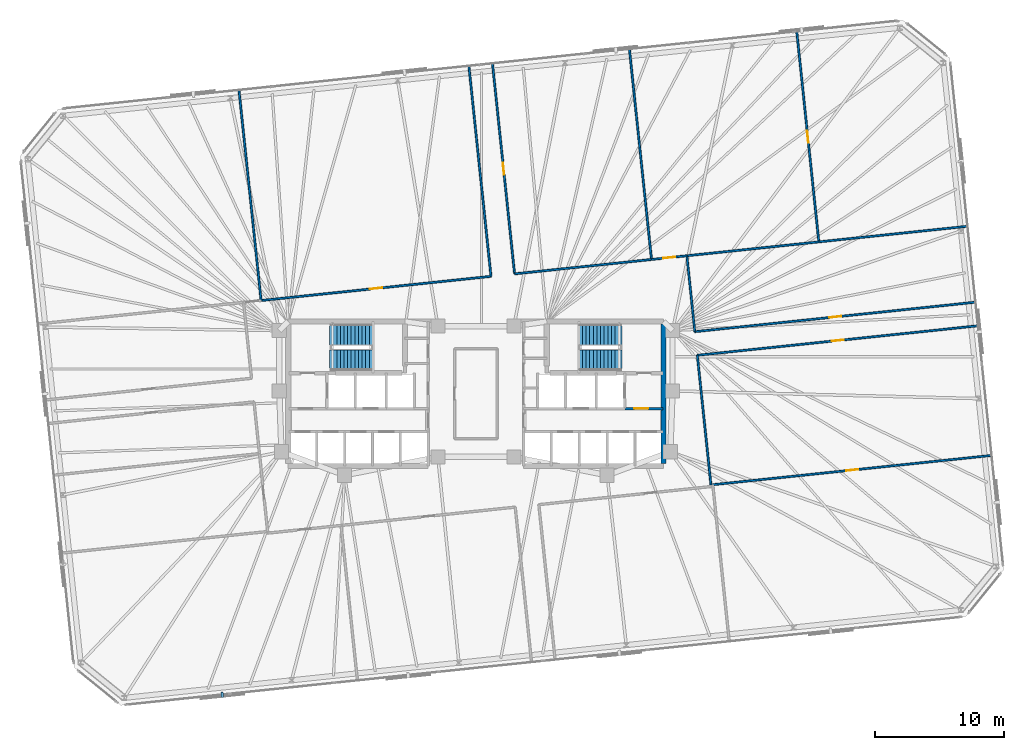
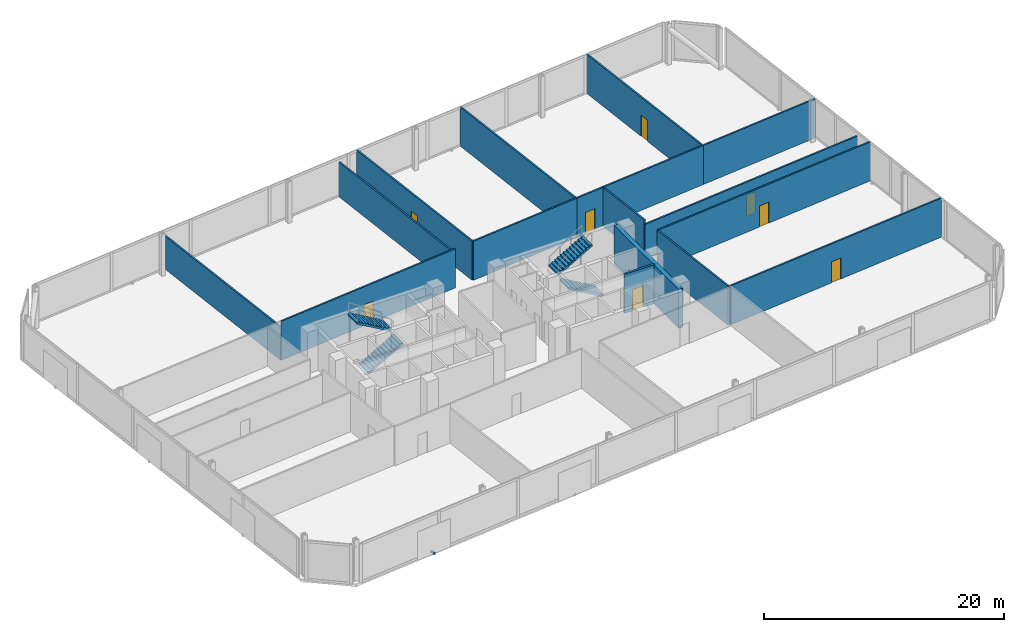
# One storey, part 14 of 16: 17 walls, 8 doors, 4 stair flights, 1 discrete accessory, 8 openings, 2 elements without a shape of their own.
"""IFC4 building model written with IfcOpenShell, lengths in metres."""

from ifc_helpers import new_model, si_unit, direction, frame, frame_2d, origin, origin_2d, place, context, subcontext, project, spatial, polyline, rectangle, outline, extrude, material, layer, layer_set, type_object, element, fill, aggregate, save


model = new_model("IFC4")

# Units and contexts
model_context = context("Model", 3, precision=1e-05, world=origin(), true_north=direction((0.0, 1.0)))
body_context = subcontext(model_context, "Body", "Model", "MODEL_VIEW")
ifc_project = project(units=[si_unit("LENGTHUNIT", "METRE"), si_unit("AREAUNIT", "SQUARE_METRE"), si_unit("VOLUMEUNIT", "CUBIC_METRE"), si_unit("PLANEANGLEUNIT", "RADIAN"), si_unit("MASSUNIT", "GRAM", prefix="KILO")], contexts=[model_context])

# Site, building, storey
site_placement = place(None, origin())
site = spatial("IfcSite", under=ifc_project, at=site_placement, CompositionType="ELEMENT")
building_placement = place(site_placement, origin())
building = spatial("IfcBuilding", under=site, at=building_placement, Name="Menara Jurai Vektor", CompositionType="ELEMENT")
storey_placement = place(building_placement, frame((0.0, 0.0, 83.199951171875)))
storey = spatial("IfcBuildingStorey", under=building, at=storey_placement, Name="L20", CompositionType="ELEMENT", Elevation=83.199951171875)

# Wall, opening, door
ifc_material_1 = material(Name="Concrete C40/50", Category="concrete")
ifc_layer_1 = layer(ifc_material_1, 0.25)
ifc_layer_set_1 = layer_set([ifc_layer_1], Name="Concrete C40/50")
wall_type_1 = type_object("IfcWallType", Name="INT-WALL-CORE-250", PredefinedType="STANDARD", material=ifc_layer_set_1)
wall_1_placement = place(storey_placement, frame((11.550048828125, -1.14990234375, 0.0), z_axis=(0.0, 0.0, 1.0), x_axis=(1.0, 0.0, 0.0)))
wall_1 = element("IfcWall", 1, at=wall_1_placement, inside=storey, type_object=wall_type_1, Name="Interior Wall IW-250 L20", PredefinedType="STANDARD", context=body_context, shape_type="SweptSolid", body=[
    extrude(rectangle(XDim=2.949951171875, YDim=0.199951171875, at=frame_2d((1.47509765625, 0.0))), origin(), (0.0, 0.0, 1.0), 3.97509765625),
])
opening_1_placement = place(wall_1_placement, frame((0.75, 0.0, 0.0)))
opening_1 = element("IfcOpeningElement", 2, at=opening_1_placement, cuts=wall_1, Name="Opening D-L20-FFE", PredefinedType="OPENING", context=body_context, shape_type="SweptSolid", body=[
    extrude(rectangle(XDim=1.050048828125, YDim=2.179931640625, at=frame_2d((0.52490234375, 1.08984375))), frame((0.0, 0.10986328125, 0.0), z_axis=(0.0, -1.0, 0.0), x_axis=(1.0, 0.0, 0.0)), (0.0, 0.0, 1.0), 0.219970703125),
])
ifc_material_2 = material(Name="Fire-Rated Timber Door", Category="wood")
door_type_1 = type_object("IfcDoorType", Name="DR-LOBBY-1050", OperationType="NOTDEFINED", PredefinedType="DOOR", material=ifc_material_2)
door_1_placement = place(opening_1_placement, origin())
door_1 = element("IfcDoor", 3, at=door_1_placement, inside=storey, type_object=door_type_1, Name="Fire Lift Lobby Door E L20", OperationType="SINGLE_SWING_LEFT", OverallHeight=2.179931640625, OverallWidth=1.050048828125, PredefinedType="DOOR", context=body_context, shape_type="SweptSolid", body=[
    extrude(rectangle(XDim=1.050048828125, YDim=2.179931640625, at=frame_2d((0.52490234375, 1.08984375))), frame((0.0, 0.02490234375, 0.0), z_axis=(0.0, -1.0, 0.0), x_axis=(1.0, 0.0, 0.0)), (0.0, 0.0, 1.0), 0.050048828125),
])
fill(opening_1, door_1)

ifc_material_3 = material(Name="Gypsum Fireboard Partition", Category="gypsum")
ifc_layer_2 = layer(ifc_material_3, 0.14990234375)
ifc_layer_set_2 = layer_set([ifc_layer_2], Name="Gypsum Fireboard Partition")
wall_type_2 = type_object("IfcWallType", Name="INT-WALL-CORR-150", PredefinedType="PARTITIONING", material=ifc_layer_set_2)
wall_2_placement = place(storey_placement, frame((-16.661865234375, 7.233154296875, 0.0), z_axis=(0.0, 0.0, 1.0), x_axis=(0.994521482375, 0.10453239256, 0.0)))
wall_2 = element("IfcWall", 4, at=wall_2_placement, inside=storey, type_object=wall_type_2, Name="Interior Wall IW-150 L20", PredefinedType="PARTITIONING", context=body_context, shape_type="SweptSolid", body=[
    extrude(rectangle(XDim=17.929931640625, YDim=0.14990234375, at=frame_2d((8.96484375, 0.0))), origin(), (0.0, 0.0, 1.0), 3.97509765625),
])
opening_2_placement = place(wall_2_placement, frame((8.489990234375, 0.0, 0.0)))
opening_2 = element("IfcOpeningElement", 5, at=opening_2_placement, cuts=wall_2, Name="Opening D20-08", PredefinedType="OPENING", context=body_context, shape_type="SweptSolid", body=[
    extrude(rectangle(XDim=0.949951171875, YDim=2.14990234375, at=frame_2d((0.47509765625, 1.074951171875))), frame((0.0, 0.0849609375, 0.0), z_axis=(0.0, -1.0, 0.0), x_axis=(1.0, 0.0, 0.0)), (0.0, 0.0, 1.0), 0.169921875),
])
ifc_material_4 = material(Name="Solid Core Timber Fire Door", Category="wood")
door_type_2 = type_object("IfcDoorType", Name="DR-ENTRY-950", OperationType="NOTDEFINED", PredefinedType="DOOR", material=ifc_material_4)
door_2_placement = place(opening_2_placement, origin())
door_2 = element("IfcDoor", 6, at=door_2_placement, inside=storey, type_object=door_type_2, Name="Interior Door D20-08", OperationType="SINGLE_SWING_LEFT", OverallHeight=2.14990234375, OverallWidth=0.949951171875, PredefinedType="DOOR", context=body_context, shape_type="SweptSolid", body=[
    extrude(rectangle(XDim=0.949951171875, YDim=2.14990234375, at=frame_2d((0.47509765625, 1.074951171875))), frame((0.0, 0.02490234375, 0.0), z_axis=(0.0, -1.0, 0.0), x_axis=(1.0, 0.0, 0.0)), (0.0, 0.0, 1.0), 0.050048828125),
])
fill(opening_2, door_2)

wall_3_placement = place(storey_placement, frame((3.0, 9.2998046875, 0.0), z_axis=(0.0, 0.0, 1.0), x_axis=(-0.104536080245, 0.994521094762, 0.0)))
wall_3 = element("IfcWall", 7, at=wall_3_placement, inside=storey, type_object=wall_type_2, Name="Interior Wall IW-150 L20", PredefinedType="PARTITIONING", context=body_context, shape_type="SweptSolid", body=[
    extrude(rectangle(XDim=16.408935546875, YDim=0.14990234375, at=frame_2d((8.20458984375, 0.0))), origin(), (0.0, 0.0, 1.0), 3.97509765625),
])
opening_3_placement = place(wall_3_placement, frame((7.7294921875, 0.0, 0.0)))
opening_3 = element("IfcOpeningElement", 8, at=opening_3_placement, cuts=wall_3, Name="Opening D20-09", PredefinedType="OPENING", context=body_context, shape_type="SweptSolid", body=[
    extrude(rectangle(XDim=0.949951171875, YDim=2.14990234375, at=frame_2d((0.47509765625, 1.074951171875))), frame((0.0, 0.0849609375, 0.0), z_axis=(0.0, -1.0, 0.0), x_axis=(1.0, 0.0, 0.0)), (0.0, 0.0, 1.0), 0.169921875),
])
door_3_placement = place(opening_3_placement, origin())
door_3 = element("IfcDoor", 9, at=door_3_placement, inside=storey, type_object=door_type_2, Name="Interior Door D20-09", OperationType="SINGLE_SWING_RIGHT", OverallHeight=2.14990234375, OverallWidth=0.949951171875, PredefinedType="DOOR", context=body_context, shape_type="SweptSolid", body=[
    extrude(rectangle(XDim=0.949951171875, YDim=2.14990234375, at=frame_2d((0.47509765625, 1.074951171875))), frame((0.0, 0.02490234375, 0.0), z_axis=(0.0, -1.0, 0.0), x_axis=(1.0, 0.0, 0.0)), (0.0, 0.0, 1.0), 0.050048828125),
])
fill(opening_3, door_3)

# Wall
wall_4_placement = place(storey_placement, frame((3.0, 9.2998046875, 0.0), z_axis=(0.0, 0.0, 1.0), x_axis=(0.994523225506, 0.10451580708, 0.0)))
element("IfcWall", 10, at=wall_4_placement, inside=storey, type_object=wall_type_2, Name="Interior Wall IW-150 L20", PredefinedType="PARTITIONING", context=body_context, shape_type="SweptSolid", body=[
    extrude(rectangle(XDim=10.679931640625, YDim=0.14990234375, at=frame_2d((5.33984375, 0.0))), origin(), (0.0, 0.0, 1.0), 3.97509765625),
])

# Wall, opening, door
wall_5_placement = place(storey_placement, frame((13.621337890625, 10.416015625, 0.0), z_axis=(0.0, 0.0, 1.0), x_axis=(0.994525813133, 0.104491181506, 0.0)))
wall_5 = element("IfcWall", 11, at=wall_5_placement, inside=storey, type_object=wall_type_2, Name="Interior Wall IW-150 L20", PredefinedType="PARTITIONING", context=body_context, shape_type="SweptSolid", body=[
    extrude(rectangle(XDim=2.757080078125, YDim=0.14990234375, at=frame_2d((1.37841796875, 0.0))), origin(), (0.0, 0.0, 1.0), 3.97509765625),
])
opening_4_placement = place(wall_5_placement, frame((0.903564453125, 0.0, 0.0)))
opening_4 = element("IfcOpeningElement", 12, at=opening_4_placement, cuts=wall_5, Name="Opening D20-10", PredefinedType="OPENING", context=body_context, shape_type="SweptSolid", body=[
    extrude(rectangle(XDim=0.949951171875, YDim=2.14990234375, at=frame_2d((0.47509765625, 1.074951171875))), frame((0.0, 0.0849609375, 0.0), z_axis=(0.0, -1.0, 0.0), x_axis=(1.0, 0.0, 0.0)), (0.0, 0.0, 1.0), 0.169921875),
])
door_4_placement = place(opening_4_placement, origin())
door_4 = element("IfcDoor", 13, at=door_4_placement, inside=storey, type_object=door_type_2, Name="Interior Door D20-10", OperationType="SINGLE_SWING_LEFT", OverallHeight=2.14990234375, OverallWidth=0.949951171875, PredefinedType="DOOR", context=body_context, shape_type="SweptSolid", body=[
    extrude(rectangle(XDim=0.949951171875, YDim=2.14990234375, at=frame_2d((0.47509765625, 1.074951171875))), frame((0.0, 0.02490234375, 0.0), z_axis=(0.0, -1.0, 0.0), x_axis=(1.0, 0.0, 0.0)), (0.0, 0.0, 1.0), 0.050048828125),
])
fill(opening_4, door_4)

# Wall
wall_6_placement = place(storey_placement, frame((18.231201171875, -7.06787109375, 0.0), z_axis=(0.0, 0.0, 1.0), x_axis=(-0.104523867261, 0.994522378417, 0.0)))
element("IfcWall", 14, at=wall_6_placement, inside=storey, type_object=wall_type_2, Name="Interior Wall IW-150 L20", PredefinedType="PARTITIONING", context=body_context, shape_type="SweptSolid", body=[
    extrude(rectangle(XDim=10.109130859375, YDim=0.14990234375, at=frame_2d((5.0546875, 0.0))), origin(), (0.0, 0.0, 1.0), 3.97509765625),
])

# Wall, opening, door
wall_7_placement = place(storey_placement, frame((17.174560546875, 2.98583984375, 0.0), z_axis=(0.0, 0.0, 1.0), x_axis=(0.994522365919, 0.104523986183, 0.0)))
wall_7 = element("IfcWall", 15, at=wall_7_placement, inside=storey, type_object=wall_type_2, Name="Interior Wall IW-150 L20", PredefinedType="PARTITIONING", context=body_context, shape_type="SweptSolid", body=[
    extrude(rectangle(XDim=21.892822265625, YDim=0.14990234375, at=frame_2d((10.9462890625, 0.0))), origin(), (0.0, 0.0, 1.0), 3.97509765625),
])
opening_5_placement = place(wall_7_placement, frame((10.471435546875, 0.0, 0.0)))
opening_5 = element("IfcOpeningElement", 16, at=opening_5_placement, cuts=wall_7, Name="Opening D20-17", PredefinedType="OPENING", context=body_context, shape_type="SweptSolid", body=[
    extrude(rectangle(XDim=0.949951171875, YDim=2.14990234375, at=frame_2d((0.47509765625, 1.074951171875))), frame((0.0, 0.0849609375, 0.0), z_axis=(0.0, -1.0, 0.0), x_axis=(1.0, 0.0, 0.0)), (0.0, 0.0, 1.0), 0.169921875),
])
door_5_placement = place(opening_5_placement, origin())
door_5 = element("IfcDoor", 17, at=door_5_placement, inside=storey, type_object=door_type_2, Name="Interior Door D20-17", OperationType="SINGLE_SWING_RIGHT", OverallHeight=2.14990234375, OverallWidth=0.949951171875, PredefinedType="DOOR", context=body_context, shape_type="SweptSolid", body=[
    extrude(rectangle(XDim=0.949951171875, YDim=2.14990234375, at=frame_2d((0.47509765625, 1.074951171875))), frame((0.0, 0.02490234375, 0.0), z_axis=(0.0, -1.0, 0.0), x_axis=(1.0, 0.0, 0.0)), (0.0, 0.0, 1.0), 0.050048828125),
])
fill(opening_5, door_5)

# Walls
wall_8_placement = place(storey_placement, frame((16.982177734375, 4.815673828125, 0.0), z_axis=(0.0, 0.0, 1.0), x_axis=(-0.104528094162, 0.994521934163, 0.0)))
element("IfcWall", 18, at=wall_8_placement, inside=storey, type_object=wall_type_2, Name="Interior Wall IW-150 L20", PredefinedType="PARTITIONING", context=body_context, shape_type="SweptSolid", body=[
    extrude(rectangle(XDim=5.9208984375, YDim=0.14990234375, at=frame_2d((2.96044921875, 0.0))), origin(), (0.0, 0.0, 1.0), 3.97509765625),
])
wall_9_placement = place(storey_placement, frame((13.621337890625, 10.416015625, 0.0), z_axis=(0.0, 0.0, 1.0), x_axis=(-0.104521364336, 0.99452264147, 0.0)))
element("IfcWall", 19, at=wall_9_placement, inside=storey, type_object=wall_type_2, Name="Interior Wall IW-150 L20", PredefinedType="PARTITIONING", context=body_context, shape_type="SweptSolid", body=[
    extrude(rectangle(XDim=16.408935546875, YDim=0.14990234375, at=frame_2d((8.20458984375, 0.0))), origin(), (0.0, 0.0, 1.0), 3.97509765625),
])

# Wall, opening, door
wall_10_placement = place(storey_placement, frame((26.599853515625, 11.7802734375, 0.0), z_axis=(0.0, 0.0, 1.0), x_axis=(-0.104521364336, 0.99452264147, 0.0)))
wall_10 = element("IfcWall", 20, at=wall_10_placement, inside=storey, type_object=wall_type_2, Name="Interior Wall IW-150 L20", PredefinedType="PARTITIONING", context=body_context, shape_type="SweptSolid", body=[
    extrude(rectangle(XDim=16.408935546875, YDim=0.14990234375, at=frame_2d((8.20458984375, 0.0))), origin(), (0.0, 0.0, 1.0), 3.97509765625),
])
opening_6_placement = place(wall_10_placement, frame((7.7294921875, 0.0, 0.0)))
opening_6 = element("IfcOpeningElement", 21, at=opening_6_placement, cuts=wall_10, Name="Opening D20-19", PredefinedType="OPENING", context=body_context, shape_type="SweptSolid", body=[
    extrude(rectangle(XDim=0.949951171875, YDim=2.14990234375, at=frame_2d((0.47509765625, 1.074951171875))), frame((0.0, 0.0849609375, 0.0), z_axis=(0.0, -1.0, 0.0), x_axis=(1.0, 0.0, 0.0)), (0.0, 0.0, 1.0), 0.169921875),
])
door_6_placement = place(opening_6_placement, origin())
door_6 = element("IfcDoor", 22, at=door_6_placement, inside=storey, type_object=door_type_2, Name="Interior Door D20-19", OperationType="SINGLE_SWING_RIGHT", OverallHeight=2.14990234375, OverallWidth=0.949951171875, PredefinedType="DOOR", context=body_context, shape_type="SweptSolid", body=[
    extrude(rectangle(XDim=0.949951171875, YDim=2.14990234375, at=frame_2d((0.47509765625, 1.074951171875))), frame((0.0, 0.02490234375, 0.0), z_axis=(0.0, -1.0, 0.0), x_axis=(1.0, 0.0, 0.0)), (0.0, 0.0, 1.0), 0.050048828125),
])
fill(opening_6, door_6)

# Walls
wall_11_placement = place(storey_placement, frame((16.36328125, 10.7041015625, 0.0), z_axis=(0.0, 0.0, 1.0), x_axis=(0.994519220898, 0.104553906025, 0.0)))
element("IfcWall", 23, at=wall_11_placement, inside=storey, type_object=wall_type_2, Name="Interior Wall IW-150 L20", PredefinedType="PARTITIONING", context=body_context, shape_type="SweptSolid", body=[
    extrude(rectangle(XDim=10.29296875, YDim=0.14990234375, at=frame_2d((5.146484375, 0.0))), origin(), (0.0, 0.0, 1.0), 3.97509765625),
])
wall_12_placement = place(storey_placement, frame((26.599853515625, 11.7802734375, 0.0), z_axis=(0.0, 0.0, 1.0), x_axis=(0.994522968342, 0.104518254096, 0.0)))
element("IfcWall", 24, at=wall_12_placement, inside=storey, type_object=wall_type_2, Name="Interior Wall IW-150 L20", PredefinedType="PARTITIONING", context=body_context, shape_type="SweptSolid", body=[
    extrude(rectangle(XDim=11.599853515625, YDim=0.14990234375, at=frame_2d((5.7998046875, 0.0))), origin(), (0.0, 0.0, 1.0), 3.97509765625),
])

# Wall, opening, door
wall_13_placement = place(storey_placement, frame((18.373291015625, -7.052978515625, 0.0), z_axis=(0.0, 0.0, 1.0), x_axis=(0.994521125611, 0.104535786761, 0.0)))
wall_13 = element("IfcWall", 25, at=wall_13_placement, inside=storey, type_object=wall_type_2, Name="Interior Wall IW-150 L20", PredefinedType="PARTITIONING", context=body_context, shape_type="SweptSolid", body=[
    extrude(rectangle(XDim=21.750244140625, YDim=0.14990234375, at=frame_2d((10.875, 0.0))), origin(), (0.0, 0.0, 1.0), 3.97509765625),
])
opening_7_placement = place(wall_13_placement, frame((10.39990234375, 0.0, 0.0)))
opening_7 = element("IfcOpeningElement", 26, at=opening_7_placement, cuts=wall_13, Name="Opening D20-20", PredefinedType="OPENING", context=body_context, shape_type="SweptSolid", body=[
    extrude(rectangle(XDim=0.949951171875, YDim=2.14990234375, at=frame_2d((0.47509765625, 1.074951171875))), frame((0.0, 0.0849609375, 0.0), z_axis=(0.0, -1.0, 0.0), x_axis=(1.0, 0.0, 0.0)), (0.0, 0.0, 1.0), 0.169921875),
])
door_7_placement = place(opening_7_placement, origin())
door_7 = element("IfcDoor", 27, at=door_7_placement, inside=storey, type_object=door_type_2, Name="Interior Door D20-20", OperationType="SINGLE_SWING_LEFT", OverallHeight=2.14990234375, OverallWidth=0.949951171875, PredefinedType="DOOR", context=body_context, shape_type="SweptSolid", body=[
    extrude(rectangle(XDim=0.949951171875, YDim=2.14990234375, at=frame_2d((0.47509765625, 1.074951171875))), frame((0.0, 0.02490234375, 0.0), z_axis=(0.0, -1.0, 0.0), x_axis=(1.0, 0.0, 0.0)), (0.0, 0.0, 1.0), 0.050048828125),
])
fill(opening_7, door_7)

# Wall
ifc_layer_3 = layer(ifc_material_3, 0.14990234375)
ifc_layer_set_3 = layer_set([ifc_layer_3], Name="Gypsum Fireboard Partition")
wall_type_3 = type_object("IfcWallType", Name="INT-WALL-CORR-150-H1", PredefinedType="PARTITIONING", material=ifc_layer_set_3)
wall_14_placement = place(storey_placement, frame((1.169921875, 9.107421875, 0.0), z_axis=(0.0, 0.0, 1.0), x_axis=(-0.104521364336, 0.99452264147, 0.0)))
element("IfcWall", 28, at=wall_14_placement, inside=storey, type_object=wall_type_3, Name="Interior Wall IW-150 L20", PredefinedType="PARTITIONING", context=body_context, shape_type="SweptSolid", body=[
    extrude(rectangle(XDim=16.408935546875, YDim=0.14990234375, at=frame_2d((8.20458984375, 0.0))), origin(), (0.0, 0.0, 1.0), 3.525146484375),
])

# Wall, opening, door
wall_15_placement = place(storey_placement, frame((16.982177734375, 4.815673828125, 0.0), z_axis=(0.0, 0.0, 1.0), x_axis=(0.994522487751, 0.10452282697, 0.0)))
wall_15 = element("IfcWall", 29, at=wall_15_placement, inside=storey, type_object=wall_type_3, Name="Interior Wall IW-150 L20", PredefinedType="PARTITIONING", context=body_context, shape_type="SweptSolid", body=[
    extrude(rectangle(XDim=21.89306640625, YDim=0.14990234375, at=frame_2d((10.946533203125, 0.0))), origin(), (0.0, 0.0, 1.0), 3.525146484375),
])
opening_8_placement = place(wall_15_placement, frame((10.471435546875, 0.0, 0.0)))
opening_8 = element("IfcOpeningElement", 30, at=opening_8_placement, cuts=wall_15, Name="Opening D20-18", PredefinedType="OPENING", context=body_context, shape_type="SweptSolid", body=[
    extrude(rectangle(XDim=0.949951171875, YDim=2.14990234375, at=frame_2d((0.47509765625, 1.074951171875))), frame((0.0, 0.0849609375, 0.0), z_axis=(0.0, -1.0, 0.0), x_axis=(1.0, 0.0, 0.0)), (0.0, 0.0, 1.0), 0.169921875),
])
door_8_placement = place(opening_8_placement, origin())
door_8 = element("IfcDoor", 31, at=door_8_placement, inside=storey, type_object=door_type_2, Name="Interior Door D20-18", OperationType="SINGLE_SWING_LEFT", OverallHeight=2.14990234375, OverallWidth=0.949951171875, PredefinedType="DOOR", context=body_context, shape_type="SweptSolid", body=[
    extrude(rectangle(XDim=0.949951171875, YDim=2.14990234375, at=frame_2d((0.47509765625, 1.074951171875))), frame((0.0, 0.02490234375, 0.0), z_axis=(0.0, -1.0, 0.0), x_axis=(1.0, 0.0, 0.0)), (0.0, 0.0, 1.0), 0.050048828125),
])
fill(opening_8, door_8)

# Walls
ifc_layer_4 = layer(ifc_material_3, 0.14990234375)
ifc_layer_set_4 = layer_set([ifc_layer_4], Name="Gypsum Fireboard Partition")
wall_type_4 = type_object("IfcWallType", Name="INT-WALL-CORR-150-H2", PredefinedType="PARTITIONING", material=ifc_layer_set_4)
wall_16_placement = place(storey_placement, frame((-16.661865234375, 7.233154296875, 0.0), z_axis=(0.0, 0.0, 1.0), x_axis=(-0.104521364336, 0.99452264147, 0.0)))
element("IfcWall", 32, at=wall_16_placement, inside=storey, type_object=wall_type_4, Name="Interior Wall IW-150 L20", PredefinedType="PARTITIONING", context=body_context, shape_type="SweptSolid", body=[
    extrude(rectangle(XDim=16.408935546875, YDim=0.14990234375, at=frame_2d((8.20458984375, 0.0))), origin(), (0.0, 0.0, 1.0), 3.375),
])
ifc_material_5 = material(Name="Concrete C50/60", Category="concrete")
ifc_layer_5 = layer(ifc_material_5, 0.39990234375)
ifc_layer_set_5 = layer_set([ifc_layer_5], Name="Concrete C50/60")
wall_type_5 = type_object("IfcWallType", Name="STR-WALL-CORE400", PredefinedType="SHEAR", material=ifc_layer_set_5)
wall_17_placement = place(storey_placement, frame((14.56005859375, -5.39990234375, 0.0), z_axis=(0.0, 0.0, 1.0), x_axis=(0.0, 1.0, 0.0)))
element("IfcWall", 33, at=wall_17_placement, inside=storey, type_object=wall_type_5, Name="Core Shear Wall CW-E-E L20", PredefinedType="SHEAR", context=body_context, shape_type="SweptSolid", body=[
    extrude(rectangle(XDim=10.7998046875, YDim=0.39990234375, at=frame_2d((5.39990234375, 0.0))), origin(), (0.0, 0.0, 1.0), 3.97509765625),
])

# Stair, stair flights
stair_type = type_object("IfcStairType", Name="STAIR-DOGLEG-1500", PredefinedType="HALF_TURN_STAIR", material=ifc_material_1)
stair_1_placement = place(storey_placement, origin())
stair_1 = element("IfcStair", 34, at=stair_1_placement, inside=storey, type_object=stair_type, Name="Protected Exit Stair ST1 L20", PredefinedType="HALF_TURN_STAIR")
stair_flight_type = type_object("IfcStairFlightType", Name="STAIR-FLIGHT-1500", PredefinedType="STRAIGHT", material=ifc_material_1)
stair_flight_1_placement = place(storey_placement, frame((-11.35009765625, 2.64990234375, 0.0), z_axis=(0.0, 0.0, 1.0), x_axis=(1.0, 0.0, 0.0)))
stair_flight_1 = element("IfcStairFlight", 35, at=stair_flight_1_placement, type_object=stair_flight_type, Name="ST1 flight 1", NumberOfRisers=13, NumberOfTreads=12, PredefinedType="STRAIGHT", RiserHeight=0.161538, TreadLength=0.28, context=body_context, shape_type="SweptSolid", body=[
    extrude(outline(polyline([(0.0, 0.0), (0.0, 0.16162109375), (0.280029296875, 0.16162109375), (0.280029296875, 0.322998046875), (0.56005859375, 0.322998046875), (0.56005859375, 0.484619140625), (0.840087890625, 0.484619140625), (0.840087890625, 0.646240234375), (1.1201171875, 0.646240234375), (1.1201171875, 0.8076171875), (1.39990234375, 0.8076171875), (1.39990234375, 0.96923828125), (1.679931640625, 0.96923828125), (1.679931640625, 1.130859375), (1.9599609375, 1.130859375), (1.9599609375, 1.292236328125), (2.239990234375, 1.292236328125), (2.239990234375, 1.453857421875), (2.52001953125, 1.453857421875), (2.52001953125, 1.615478515625), (2.800048828125, 1.615478515625), (2.800048828125, 1.77685546875), (3.080078125, 1.77685546875), (3.080078125, 1.9384765625), (3.360107421875, 1.9384765625), (3.360107421875, 2.10009765625), (3.360107421875, 1.75390625), (0.320068359375, 0.0), (0.0, 0.0)])), frame((0.0, 0.75, 0.0), z_axis=(0.0, -1.0, 0.0), x_axis=(1.0, 0.0, 0.0)), (0.0, 0.0, 1.0), 1.5),
])
stair_flight_2_placement = place(storey_placement, frame((-7.989990234375, 4.550048828125, 2.10009765625), z_axis=(0.0, 0.0, 1.0), x_axis=(-1.0, 0.0, 0.0)))
stair_flight_2 = element("IfcStairFlight", 36, at=stair_flight_2_placement, type_object=stair_flight_type, Name="ST1 flight 2", NumberOfRisers=13, NumberOfTreads=12, PredefinedType="STRAIGHT", RiserHeight=0.161538, TreadLength=0.28, context=body_context, shape_type="SweptSolid", body=[
    extrude(outline(polyline([(0.0, 0.0), (0.0, 0.16162109375), (0.280029296875, 0.16162109375), (0.280029296875, 0.322998046875), (0.56005859375, 0.322998046875), (0.56005859375, 0.484619140625), (0.840087890625, 0.484619140625), (0.840087890625, 0.646240234375), (1.1201171875, 0.646240234375), (1.1201171875, 0.8076171875), (1.39990234375, 0.8076171875), (1.39990234375, 0.96923828125), (1.679931640625, 0.96923828125), (1.679931640625, 1.130859375), (1.9599609375, 1.130859375), (1.9599609375, 1.292236328125), (2.239990234375, 1.292236328125), (2.239990234375, 1.453857421875), (2.52001953125, 1.453857421875), (2.52001953125, 1.615478515625), (2.800048828125, 1.615478515625), (2.800048828125, 1.77685546875), (3.080078125, 1.77685546875), (3.080078125, 1.9384765625), (3.360107421875, 1.9384765625), (3.360107421875, 2.10009765625), (3.360107421875, 1.75390625), (0.320068359375, 0.0), (0.0, 0.0)])), frame((0.0, 0.75, 0.0), z_axis=(0.0, -1.0, 0.0), x_axis=(1.0, 0.0, 0.0)), (0.0, 0.0, 1.0), 1.5),
])
aggregate(stair_1, [stair_flight_1, stair_flight_2])

stair_2_placement = place(storey_placement, origin())
stair_2 = element("IfcStair", 37, at=stair_2_placement, inside=storey, type_object=stair_type, Name="Protected Exit Stair ST2 L20", PredefinedType="HALF_TURN_STAIR")
stair_flight_3_placement = place(storey_placement, frame((11.35009765625, 2.64990234375, 0.0), z_axis=(0.0, 0.0, 1.0), x_axis=(-1.0, 0.0, 0.0)))
stair_flight_3 = element("IfcStairFlight", 38, at=stair_flight_3_placement, type_object=stair_flight_type, Name="ST2 flight 1", NumberOfRisers=13, NumberOfTreads=12, PredefinedType="STRAIGHT", RiserHeight=0.161538, TreadLength=0.28, context=body_context, shape_type="SweptSolid", body=[
    extrude(outline(polyline([(0.0, 0.0), (0.0, 0.16162109375), (0.280029296875, 0.16162109375), (0.280029296875, 0.322998046875), (0.56005859375, 0.322998046875), (0.56005859375, 0.484619140625), (0.840087890625, 0.484619140625), (0.840087890625, 0.646240234375), (1.1201171875, 0.646240234375), (1.1201171875, 0.8076171875), (1.39990234375, 0.8076171875), (1.39990234375, 0.96923828125), (1.679931640625, 0.96923828125), (1.679931640625, 1.130859375), (1.9599609375, 1.130859375), (1.9599609375, 1.292236328125), (2.239990234375, 1.292236328125), (2.239990234375, 1.453857421875), (2.52001953125, 1.453857421875), (2.52001953125, 1.615478515625), (2.800048828125, 1.615478515625), (2.800048828125, 1.77685546875), (3.080078125, 1.77685546875), (3.080078125, 1.9384765625), (3.360107421875, 1.9384765625), (3.360107421875, 2.10009765625), (3.360107421875, 1.75390625), (0.320068359375, 0.0), (0.0, 0.0)])), frame((0.0, 0.75, 0.0), z_axis=(0.0, -1.0, 0.0), x_axis=(1.0, 0.0, 0.0)), (0.0, 0.0, 1.0), 1.5),
])
stair_flight_4_placement = place(storey_placement, frame((7.989990234375, 4.550048828125, 2.10009765625), z_axis=(0.0, 0.0, 1.0), x_axis=(1.0, 0.0, 0.0)))
stair_flight_4 = element("IfcStairFlight", 39, at=stair_flight_4_placement, type_object=stair_flight_type, Name="ST2 flight 2", NumberOfRisers=13, NumberOfTreads=12, PredefinedType="STRAIGHT", RiserHeight=0.161538, TreadLength=0.28, context=body_context, shape_type="SweptSolid", body=[
    extrude(outline(polyline([(0.0, 0.0), (0.0, 0.16162109375), (0.280029296875, 0.16162109375), (0.280029296875, 0.322998046875), (0.56005859375, 0.322998046875), (0.56005859375, 0.484619140625), (0.840087890625, 0.484619140625), (0.840087890625, 0.646240234375), (1.1201171875, 0.646240234375), (1.1201171875, 0.8076171875), (1.39990234375, 0.8076171875), (1.39990234375, 0.96923828125), (1.679931640625, 0.96923828125), (1.679931640625, 1.130859375), (1.9599609375, 1.130859375), (1.9599609375, 1.292236328125), (2.239990234375, 1.292236328125), (2.239990234375, 1.453857421875), (2.52001953125, 1.453857421875), (2.52001953125, 1.615478515625), (2.800048828125, 1.615478515625), (2.800048828125, 1.77685546875), (3.080078125, 1.77685546875), (3.080078125, 1.9384765625), (3.360107421875, 1.9384765625), (3.360107421875, 2.10009765625), (3.360107421875, 1.75390625), (0.320068359375, 0.0), (0.0, 0.0)])), frame((0.0, 0.75, 0.0), z_axis=(0.0, -1.0, 0.0), x_axis=(1.0, 0.0, 0.0)), (0.0, 0.0, 1.0), 1.5),
])
aggregate(stair_2, [stair_flight_3, stair_flight_4])

# Discrete accessory
ifc_material_6 = material(Name="Steel S355", Category="steel")
discrete_accessory_type = type_object("IfcDiscreteAccessoryType", Name="ENV-ACC-BRACKET", PredefinedType="BRACKET", material=ifc_material_6)
discrete_accessory_placement = place(storey_placement, frame((-19.673583984375, -23.35009765625, -0.1298828125), z_axis=(0.0, 0.0, 1.0), x_axis=(0.994521895368, 0.104528463268, 0.0)))
element("IfcDiscreteAccessory", 40, at=discrete_accessory_placement, inside=storey, type_object=discrete_accessory_type, Name="Solar Screen Stand-Off Bracket L20-S01", PredefinedType="BRACKET", context=body_context, shape_type="SweptSolid", body=[
    extrude(rectangle(XDim=0.179931640625, YDim=0.43994140625, at=origin_2d()), origin(), (0.0, 0.0, 1.0), 0.219970703125),
])

save(model, "model.ifc")
